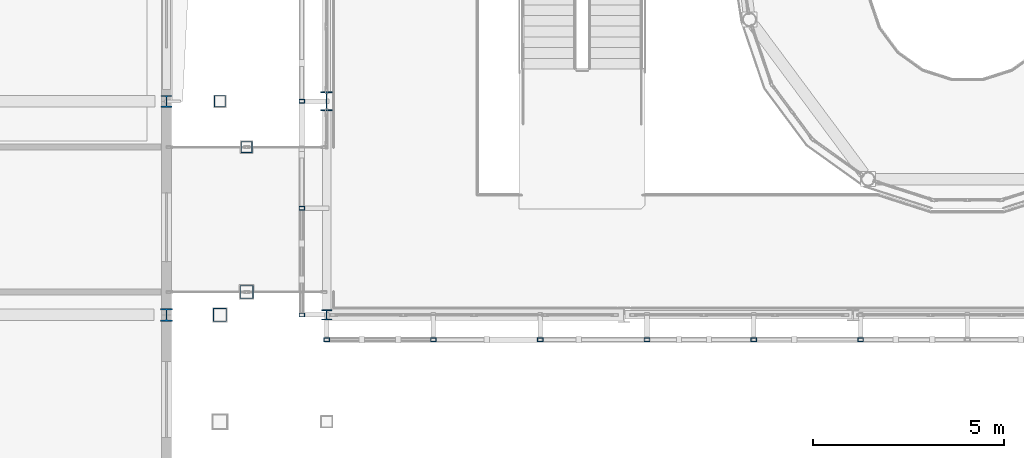
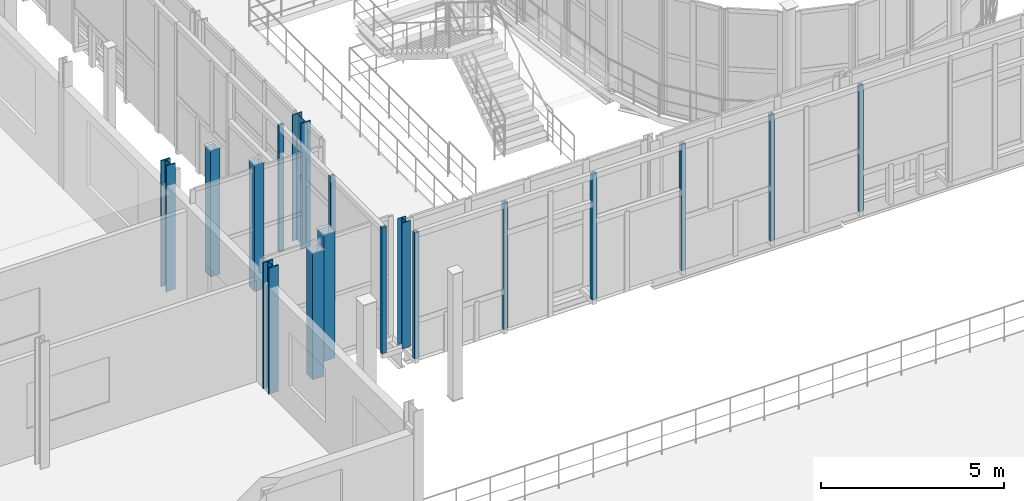
# One storey, part 2 of 138: 17 columns.
"""IFC4 building model written with IfcOpenShell, lengths in metres."""

from ifc_helpers import new_model, si_unit, direction, frame, origin, origin_2d, place, context, subcontext, project, spatial, hollow_rectangle, i_section, extrude, material, material_profile, profile_set, type_object, element, save


model = new_model("IFC4")

# Units and contexts
model_context = context("Model", 3, precision=1e-05, world=origin(), true_north=direction((0.0, 1.0)))
body_context = subcontext(model_context, "Body", "Model", "MODEL_VIEW")
ifc_project = project(units=[si_unit("LENGTHUNIT", "METRE"), si_unit("AREAUNIT", "SQUARE_METRE"), si_unit("VOLUMEUNIT", "CUBIC_METRE"), si_unit("PLANEANGLEUNIT", "RADIAN"), si_unit("MASSUNIT", "GRAM", prefix="KILO")], contexts=[model_context])

# Site, building, storey
site_placement = place(None, origin())
site = spatial("IfcSite", under=ifc_project, at=site_placement, CompositionType="ELEMENT")
building_placement = place(site_placement, origin())
building = spatial("IfcBuilding", under=site, at=building_placement, Name="Vinh Khe Railworks Police Headquarters", CompositionType="ELEMENT")
storey_placement = place(building_placement, frame((0.0, 0.0, 9.0)))
storey = spatial("IfcBuildingStorey", under=building, at=storey_placement, Name="L02", CompositionType="ELEMENT", Elevation=9.0)

# Columns
ifc_material = material(Name="Steel S355JR", Category="steel")
ifc_material_profile_1 = material_profile(ifc_material, hollow_rectangle(XDim=0.14990234375, YDim=0.10009765625, WallThickness=0.008056640625, at=origin_2d()), Name="RHS 150x100x8")
ifc_profile_set_1 = profile_set([ifc_material_profile_1], Name="Steel S355JR")
column_type_1 = type_object("IfcColumnType", Name="COL-QUILT-POST", PredefinedType="COLUMN", material=ifc_profile_set_1)
for number, where, z_axis, x_axis, name in (
    (1, (26.39990234375, 24.550048828125, 0.0), (0.0, 0.0, 1.0), (1.0, 0.0, 0.0), "Patchwork Quilt Carrier Column S-1 (L02)"),
    (2, (29.199951171875, 24.550048828125, 0.0), (0.0, 0.0, 1.0), (1.0, 0.0, 0.0), "Patchwork Quilt Carrier Column S-2 (L02)"),
    (3, (32.0, 24.550048828125, 0.0), (0.0, 0.0, 1.0), (1.0, 0.0, 0.0), "Patchwork Quilt Carrier Column S-3 (L02)"),
    (4, (34.800048828125, 24.550048828125, 0.0), (0.0, 0.0, 1.0), (1.0, 0.0, 0.0), "Patchwork Quilt Carrier Column S-4 (L02)"),
    (5, (37.60009765625, 24.550048828125, 0.0), (0.0, 0.0, 1.0), (1.0, 0.0, 0.0), "Patchwork Quilt Carrier Column S-5 (L02)"),
    (6, (40.39990234375, 24.550048828125, 0.0), (0.0, 0.0, 1.0), (1.0, 0.0, 0.0), "Patchwork Quilt Carrier Column S-6 (L02)"),
    (7, (25.75, 25.199951171875, 0.0), (0.0, 0.0, 1.0), (1.0, 0.0, 0.0), "Patchwork Quilt Carrier Column W-1 (L02)"),
    (8, (25.75, 28.0, 0.0), (0.0, 0.0, 1.0), (1.0, 0.0, 0.0), "Patchwork Quilt Carrier Column W-2 (L02)"),
    (9, (25.75, 30.800048828125, 0.0), (0.0, 0.0, 1.0), (1.0, 0.0, 0.0), "Patchwork Quilt Carrier Column W-3 (L02)"),
):
    element("IfcColumn", number, at=place(storey_placement, frame(where, z_axis=z_axis, x_axis=x_axis)), inside=storey, type_object=column_type_1, Name=name, PredefinedType="COLUMN", context=body_context, shape_type="SweptSolid", body=[
        extrude(hollow_rectangle(XDim=0.14990234375, YDim=0.10009765625, WallThickness=0.008056640625, at=origin_2d()), origin(), (0.0, 0.0, 1.0), 4.199951171875),
    ])
ifc_material_profile_2 = material_profile(ifc_material, i_section(OverallWidth=0.300048828125, OverallDepth=0.489990234375, WebThickness=0.011962890625, FlangeThickness=0.02294921875, FilletRadius=0.027099609375, at=origin_2d()), Name="HEA 500")
ifc_profile_set_2 = profile_set([ifc_material_profile_2], Name="Steel S355JR")
column_type_2 = type_object("IfcColumnType", Name="Steel Column HEA 500", PredefinedType="COLUMN", material=ifc_profile_set_2)
column_1_placement = place(storey_placement, frame((26.39990234375, 30.800048828125, 0.0), z_axis=(0.0, 0.0, 1.0), x_axis=(1.0, 0.0, 0.0)))
element("IfcColumn", 10, at=column_1_placement, inside=storey, type_object=column_type_2, Name="Column COL-L02-SC-13-0730", PredefinedType="COLUMN", context=body_context, shape_type="SweptSolid", body=[
    extrude(i_section(OverallWidth=0.300048828125, OverallDepth=0.489990234375, WebThickness=0.011962890625, FlangeThickness=0.02294921875, FilletRadius=0.027099609375, at=origin_2d()), origin(), (0.0, 0.0, 1.0), 4.199951171875),
])
ifc_material_profile_3 = material_profile(ifc_material, i_section(OverallWidth=0.260009765625, OverallDepth=0.260009765625, WebThickness=0.010009765625, FlangeThickness=0.017578125, FilletRadius=0.02392578125, at=origin_2d()), Name="HEB 260")
ifc_profile_set_3 = profile_set([ifc_material_profile_3], Name="Steel S355JR")
column_type_3 = type_object("IfcColumnType", Name="Steel Column HEB 260", PredefinedType="COLUMN", material=ifc_profile_set_3)
column_2_placement = place(storey_placement, frame((26.39990234375, 25.199951171875, 0.0), z_axis=(0.0, 0.0, 1.0), x_axis=(1.0, 0.0, 0.0)))
element("IfcColumn", 11, at=column_2_placement, inside=storey, type_object=column_type_3, Name="Column COL-L02-SC-12-0725", PredefinedType="COLUMN", context=body_context, shape_type="SweptSolid", body=[
    extrude(i_section(OverallWidth=0.260009765625, OverallDepth=0.260009765625, WebThickness=0.010009765625, FlangeThickness=0.017578125, FilletRadius=0.02392578125, at=origin_2d()), origin(), (0.0, 0.0, 1.0), 4.199951171875),
])
ifc_material_profile_4 = material_profile(ifc_material, i_section(OverallWidth=0.2880859375, OverallDepth=0.31005859375, WebThickness=0.0185546875, FlangeThickness=0.032958984375, FilletRadius=0.02392578125, at=origin_2d()), Name="HEM 280")
ifc_profile_set_4 = profile_set([ifc_material_profile_4], Name="Steel S355JR")
column_type_4 = type_object("IfcColumnType", Name="Steel Column HEM 280", PredefinedType="COLUMN", material=ifc_profile_set_4)
column_3_placement = place(storey_placement, frame((22.199951171875, 30.800048828125, 0.0), z_axis=(0.0, 0.0, 1.0), x_axis=(1.0, 0.0, 0.0)))
element("IfcColumn", 12, at=column_3_placement, inside=storey, type_object=column_type_4, Name="Column COL-L02-SC-02-0529", PredefinedType="COLUMN", context=body_context, shape_type="SweptSolid", body=[
    extrude(i_section(OverallWidth=0.2880859375, OverallDepth=0.31005859375, WebThickness=0.0185546875, FlangeThickness=0.032958984375, FilletRadius=0.02392578125, at=origin_2d()), origin(), (0.0, 0.0, 1.0), 4.199951171875),
])
ifc_material_profile_5 = material_profile(ifc_material, i_section(OverallWidth=0.31005859375, OverallDepth=0.340087890625, WebThickness=0.02099609375, FlangeThickness=0.0390625, FilletRadius=0.027099609375, at=origin_2d()), Name="HEM 300")
ifc_profile_set_5 = profile_set([ifc_material_profile_5], Name="Steel S355JR")
column_type_5 = type_object("IfcColumnType", Name="Steel Column HEM 300", PredefinedType="COLUMN", material=ifc_profile_set_5)
column_4_placement = place(storey_placement, frame((22.199951171875, 25.199951171875, 0.0), z_axis=(0.0, 0.0, 1.0), x_axis=(1.0, 0.0, 0.0)))
element("IfcColumn", 13, at=column_4_placement, inside=storey, type_object=column_type_5, Name="Column COL-L02-SC-01-0520", PredefinedType="COLUMN", context=body_context, shape_type="SweptSolid", body=[
    extrude(i_section(OverallWidth=0.31005859375, OverallDepth=0.340087890625, WebThickness=0.02099609375, FlangeThickness=0.0390625, FilletRadius=0.027099609375, at=origin_2d()), origin(), (0.0, 0.0, 1.0), 4.199951171875),
])
ifc_material_profile_6 = material_profile(ifc_material, hollow_rectangle(XDim=0.300048828125, YDim=0.300048828125, WallThickness=0.01611328125, at=origin_2d()), Name="SHS 300x300x16")
ifc_profile_set_6 = profile_set([ifc_material_profile_6], Name="Steel S355JR")
column_type_6 = type_object("IfcColumnType", Name="Steel Column SHS 300x300x16", PredefinedType="COLUMN", material=ifc_profile_set_6)
for number, where, z_axis, x_axis, name in (
    (14, (23.60009765625, 30.800048828125, 0.0), (0.0, 0.0, 1.0), (1.0, 0.0, 0.0), "Column COL-L02-SC-23-0668"),
    (15, (24.300048828125, 29.60009765625, 0.0), (0.0, 0.0, 1.0), (1.0, 0.0, 0.0), "Column COL-L02-SC-23-0707"),
):
    element("IfcColumn", number, at=place(storey_placement, frame(where, z_axis=z_axis, x_axis=x_axis)), inside=storey, type_object=column_type_6, Name=name, PredefinedType="COLUMN", context=body_context, shape_type="SweptSolid", body=[
        extrude(hollow_rectangle(XDim=0.300048828125, YDim=0.300048828125, WallThickness=0.01611328125, at=origin_2d()), origin(), (0.0, 0.0, 1.0), 4.199951171875),
    ])
ifc_material_profile_7 = material_profile(ifc_material, hollow_rectangle(XDim=0.35009765625, YDim=0.35009765625, WallThickness=0.01611328125, at=origin_2d()), Name="SHS 350x350x16")
ifc_profile_set_7 = profile_set([ifc_material_profile_7], Name="Steel S355JR")
column_type_7 = type_object("IfcColumnType", Name="Steel Column SHS 350x350x16", PredefinedType="COLUMN", material=ifc_profile_set_7)
for number, where, z_axis, x_axis, name in (
    (16, (23.60009765625, 25.199951171875, 0.0), (0.0, 0.0, 1.0), (1.0, 0.0, 0.0), "Column COL-L02-SC-22-0663"),
    (17, (24.300048828125, 25.800048828125, 0.0), (0.0, 0.0, 1.0), (1.0, 0.0, 0.0), "Column COL-L02-SC-22-0703"),
):
    element("IfcColumn", number, at=place(storey_placement, frame(where, z_axis=z_axis, x_axis=x_axis)), inside=storey, type_object=column_type_7, Name=name, PredefinedType="COLUMN", context=body_context, shape_type="SweptSolid", body=[
        extrude(hollow_rectangle(XDim=0.35009765625, YDim=0.35009765625, WallThickness=0.01611328125, at=origin_2d()), origin(), (0.0, 0.0, 1.0), 4.199951171875),
    ])

save(model, "model.ifc")
